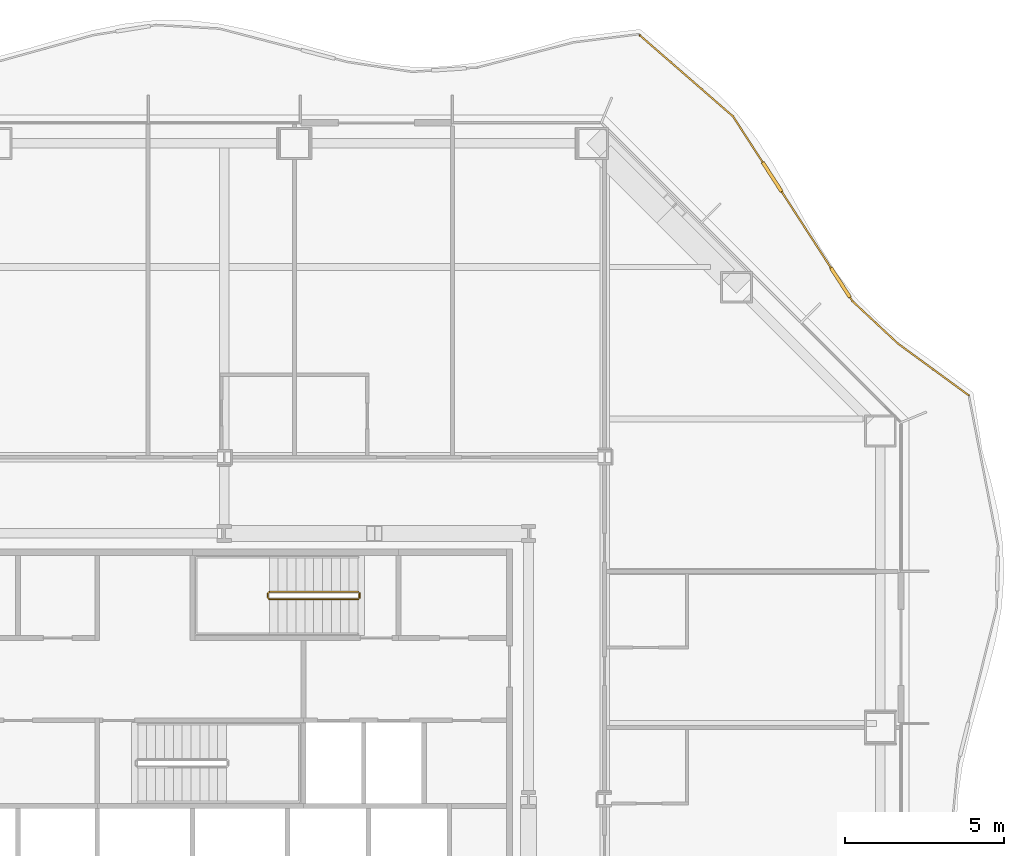
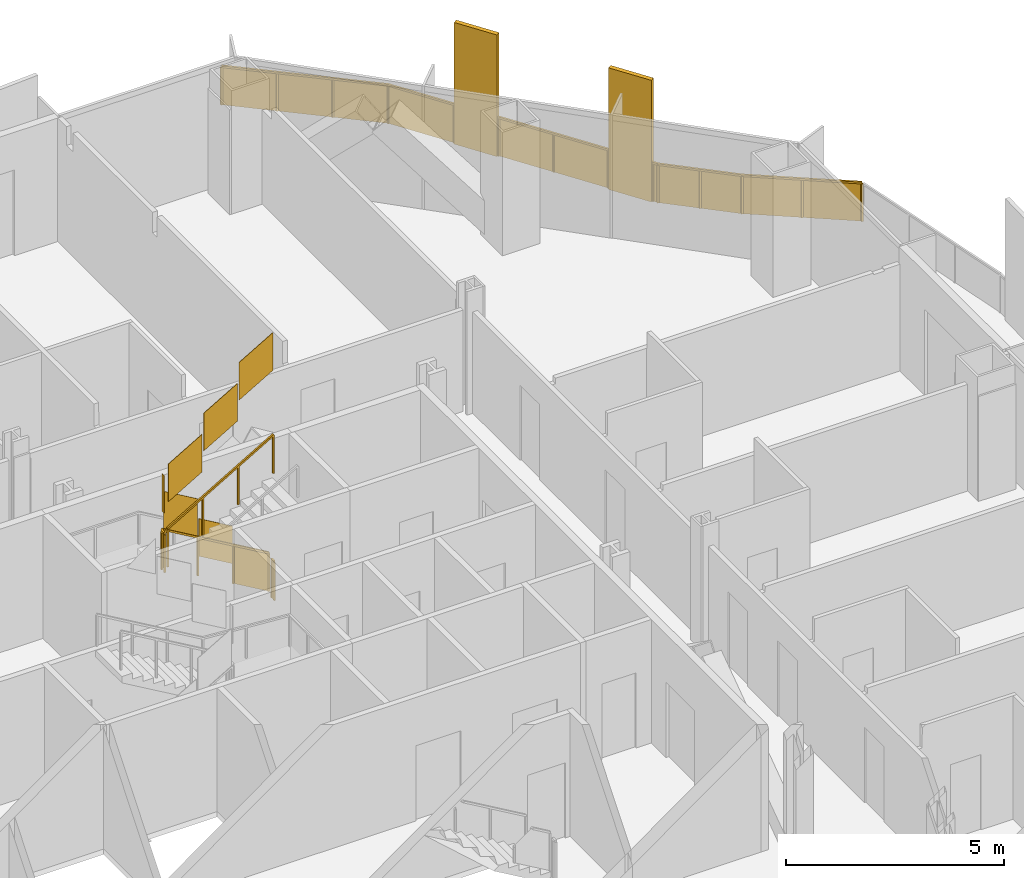
# One storey, part 21 of 21: 3 railings.
"""IFC4 building model written with IfcOpenShell, lengths in metres."""

from ifc_helpers import new_model, si_unit, direction, frame, origin, origin_2d, place, context, subcontext, project, spatial, polyline, rectangle, outline, extrude, material, type_object, element, save


model = new_model("IFC4")

# Units and contexts
model_context = context("Model", 3, precision=1e-05, world=origin(), true_north=direction((0.0, 1.0)))
body_context = subcontext(model_context, "Body", "Model", "MODEL_VIEW")
ifc_project = project(units=[si_unit("LENGTHUNIT", "METRE"), si_unit("AREAUNIT", "SQUARE_METRE"), si_unit("VOLUMEUNIT", "CUBIC_METRE"), si_unit("PLANEANGLEUNIT", "RADIAN"), si_unit("MASSUNIT", "GRAM", prefix="KILO")], contexts=[model_context])

# Site, building, storey
site_placement = place(None, origin())
site = spatial("IfcSite", under=ifc_project, at=site_placement, CompositionType="ELEMENT")
building_placement = place(site_placement, origin())
building = spatial("IfcBuilding", under=site, at=building_placement, Name="Cairn Pilgrim Tower", CompositionType="ELEMENT")
storey_placement = place(building_placement, frame((0.0, 0.0, 58.199951171875)))
storey = spatial("IfcBuildingStorey", under=building, at=storey_placement, Name="L12", CompositionType="ELEMENT", Elevation=58.199951171875)

# Railings
ifc_material_1 = material(Name="Bronze anodised aluminium rail, posts and fin screens with laminated glass infill", Category="aluminium")
railing_type_1 = type_object("IfcRailingType", Name="BALCONY GUARD WITH FIN SCREENS", PredefinedType="GUARDRAIL", material=ifc_material_1)
railing_1_placement = place(storey_placement, frame((30.68896484375, 15.15234375, 0.0)))
element("IfcRailing", 1, at=railing_1_placement, inside=storey, type_object=railing_type_1, Name="Balcony guard BGF-4 with fin screens", PredefinedType="GUARDRAIL", context=body_context, shape_type="SweptSolid", body=[
    extrude(rectangle(XDim=0.050048828125, YDim=0.050048828125, at=origin_2d()), frame((0.0, 0.0, 1.0751953125), z_axis=(-0.807280968825, 0.590167296088, 0.0), x_axis=(-0.590167296088, -0.807280968825, 0.0)), (0.0, 0.0, 1.0), 2.76171875),
    extrude(rectangle(XDim=0.050048828125, YDim=0.050048828125, at=origin_2d()), frame((-2.2294921875, 1.6298828125, 1.0751953125), z_axis=(-0.731657165894, 0.681672789244, 0.0), x_axis=(-0.681672789244, -0.731657165894, 0.0)), (0.0, 0.0, 1.0), 1.968505859375),
    extrude(rectangle(XDim=1.10009765625, YDim=0.110107421875, at=origin_2d()), frame((-4.049560546875, 3.559326171875, 0.0), z_axis=(0.0, 0.0, 1.0), x_axis=(-0.54289825143, 0.839798480943, 0.0)), (0.0, 0.0, 1.0), 3.39990234375),
    extrude(rectangle(XDim=1.10009765625, YDim=0.110107421875, at=origin_2d()), frame((-6.204345703125, 6.892578125, 0.0), z_axis=(0.0, 0.0, 1.0), x_axis=(-0.54289825143, 0.839798480943, 0.0)), (0.0, 0.0, 1.0), 3.39990234375),
    extrude(rectangle(XDim=0.050048828125, YDim=0.050048828125, at=origin_2d()), frame((-3.669677734375, 2.9716796875, 1.0751953125), z_axis=(-0.54289825143, 0.839798480943, 0.0), x_axis=(-0.839798480943, -0.54289825143, 0.0)), (0.0, 0.0, 1.0), 0.14990234375),
    extrude(rectangle(XDim=0.050048828125, YDim=0.050048828125, at=origin_2d()), frame((-4.34814453125, 4.021240234375, 1.0751953125), z_axis=(-0.54289825143, 0.839798480943, 0.0), x_axis=(-0.839798480943, -0.54289825143, 0.0)), (0.0, 0.0, 1.0), 2.868896484375),
    extrude(rectangle(XDim=0.050048828125, YDim=0.050048828125, at=origin_2d()), frame((-6.5029296875, 7.3544921875, 1.0751953125), z_axis=(-0.54289825143, 0.839798480943, 0.0), x_axis=(-0.839798480943, -0.54289825143, 0.0)), (0.0, 0.0, 1.0), 1.721435546875),
    extrude(rectangle(XDim=0.050048828125, YDim=0.050048828125, at=origin_2d()), frame((-7.4375, 8.800048828125, 1.0751953125), z_axis=(-0.754482548795, 0.656320107541, 0.0), x_axis=(-0.656320107541, -0.754482548795, 0.0)), (0.0, 0.0, 1.0), 3.889892578125),
    extrude(rectangle(XDim=0.050048828125, YDim=0.050048828125, at=origin_2d()), origin(), (0.0, 0.0, 1.0), 1.050048828125),
    extrude(rectangle(XDim=0.050048828125, YDim=0.050048828125, at=origin_2d()), frame((-1.11474609375, 0.81494140625, 0.0)), (0.0, 0.0, 1.0), 1.050048828125),
    extrude(rectangle(XDim=0.050048828125, YDim=0.050048828125, at=origin_2d()), frame((-2.2294921875, 1.6298828125, 0.0)), (0.0, 0.0, 1.0), 1.050048828125),
    extrude(rectangle(XDim=0.050048828125, YDim=0.050048828125, at=origin_2d()), frame((-2.94970703125, 2.30078125, 0.0)), (0.0, 0.0, 1.0), 1.050048828125),
    extrude(rectangle(XDim=0.050048828125, YDim=0.050048828125, at=origin_2d()), frame((-3.669677734375, 2.9716796875, 0.0)), (0.0, 0.0, 1.0), 1.050048828125),
    extrude(rectangle(XDim=0.050048828125, YDim=0.050048828125, at=origin_2d()), frame((-3.7373046875, 3.076416015625, 0.0)), (0.0, 0.0, 1.0), 1.050048828125),
    extrude(rectangle(XDim=0.050048828125, YDim=0.050048828125, at=origin_2d()), frame((-4.36181640625, 4.042236328125, 0.0)), (0.0, 0.0, 1.0), 1.050048828125),
    extrude(rectangle(XDim=0.050048828125, YDim=0.050048828125, at=origin_2d()), frame((-5.126953125, 5.225830078125, 0.0)), (0.0, 0.0, 1.0), 1.050048828125),
    extrude(rectangle(XDim=0.050048828125, YDim=0.050048828125, at=origin_2d()), frame((-5.89208984375, 6.40966796875, 0.0)), (0.0, 0.0, 1.0), 1.050048828125),
    extrude(rectangle(XDim=0.050048828125, YDim=0.050048828125, at=origin_2d()), frame((-6.5166015625, 7.37548828125, 0.0)), (0.0, 0.0, 1.0), 1.050048828125),
    extrude(rectangle(XDim=0.050048828125, YDim=0.050048828125, at=origin_2d()), frame((-7.4375, 8.800048828125, 0.0)), (0.0, 0.0, 1.0), 1.050048828125),
    extrude(rectangle(XDim=0.050048828125, YDim=0.050048828125, at=origin_2d()), frame((-8.415771484375, 9.651123046875, 0.0)), (0.0, 0.0, 1.0), 1.050048828125),
    extrude(rectangle(XDim=0.050048828125, YDim=0.050048828125, at=origin_2d()), frame((-9.39404296875, 10.501953125, 0.0)), (0.0, 0.0, 1.0), 1.050048828125),
    extrude(rectangle(XDim=0.050048828125, YDim=0.050048828125, at=origin_2d()), frame((-10.372314453125, 11.35302734375, 0.0)), (0.0, 0.0, 1.0), 1.050048828125),
    extrude(outline(polyline([(0.02490234375, 0.0), (1.35595703125, 0.0), (1.35595703125, 1.050048828125), (0.02490234375, 1.050048828125), (0.02490234375, 0.0)])), frame((-0.00341796875, -0.0048828125, 0.0), z_axis=(0.590167296088, 0.807280968825, 0.0), x_axis=(-0.807280968825, 0.590167296088, 0.0)), (0.0, 0.0, 1.0), 0.011962890625),
    extrude(outline(polyline([(0.02490234375, 0.0), (1.35595703125, 0.0), (1.35595703125, 1.050048828125), (0.02490234375, 1.050048828125), (0.02490234375, 0.0)])), frame((-1.1181640625, 0.81005859375, 0.0), z_axis=(0.590167296088, 0.807280968825, 0.0), x_axis=(-0.807280968825, 0.590167296088, 0.0)), (0.0, 0.0, 1.0), 0.011962890625),
    extrude(outline(polyline([(0.02490234375, 0.0), (0.959228515625, 0.0), (0.959228515625, 1.050048828125), (0.02490234375, 1.050048828125), (0.02490234375, 0.0)])), frame((-2.233642578125, 1.62548828125, 0.0), z_axis=(0.681672789244, 0.731657165894, 0.0), x_axis=(-0.731657165894, 0.681672789244, 0.0)), (0.0, 0.0, 1.0), 0.011962890625),
    extrude(outline(polyline([(0.02490234375, 0.0), (0.959228515625, 0.0), (0.959228515625, 1.050048828125), (0.02490234375, 1.050048828125), (0.02490234375, 0.0)])), frame((-2.95361328125, 2.29638671875, 0.0), z_axis=(0.681672789244, 0.731657165894, 0.0), x_axis=(-0.731657165894, 0.681672789244, 0.0)), (0.0, 0.0, 1.0), 0.011962890625),
    extrude(outline(polyline([(0.02490234375, 0.0), (0.099853515625, 0.0), (0.099853515625, 1.050048828125), (0.02490234375, 1.050048828125), (0.02490234375, 0.0)])), frame((-3.6748046875, 2.968505859375, 0.0), z_axis=(0.839798480943, 0.54289825143, 0.0), x_axis=(-0.54289825143, 0.839798480943, 0.0)), (0.0, 0.0, 1.0), 0.011962890625),
    extrude(outline(polyline([(0.02490234375, 0.0), (1.384521484375, 0.0), (1.384521484375, 1.050048828125), (0.02490234375, 1.050048828125), (0.02490234375, 0.0)])), frame((-4.36669921875, 4.0390625, 0.0), z_axis=(0.839798480943, 0.54289825143, 0.0), x_axis=(-0.54289825143, 0.839798480943, 0.0)), (0.0, 0.0, 1.0), 0.011962890625),
    extrude(outline(polyline([(0.02490234375, 0.0), (1.384521484375, 0.0), (1.384521484375, 1.050048828125), (0.02490234375, 1.050048828125), (0.02490234375, 0.0)])), frame((-5.132080078125, 5.22265625, 0.0), z_axis=(0.839798480943, 0.54289825143, 0.0), x_axis=(-0.54289825143, 0.839798480943, 0.0)), (0.0, 0.0, 1.0), 0.011962890625),
    extrude(outline(polyline([(0.02490234375, 0.0), (1.67138671875, 0.0), (1.67138671875, 1.050048828125), (0.02490234375, 1.050048828125), (0.02490234375, 0.0)])), frame((-6.521484375, 7.3720703125, 0.0), z_axis=(0.839798480943, 0.54289825143, 0.0), x_axis=(-0.54289825143, 0.839798480943, 0.0)), (0.0, 0.0, 1.0), 0.011962890625),
    extrude(outline(polyline([(0.02490234375, 0.0), (1.271484375, 0.0), (1.271484375, 1.050048828125), (0.02490234375, 1.050048828125), (0.02490234375, 0.0)])), frame((-7.44140625, 8.795654296875, 0.0), z_axis=(0.656320107541, 0.754482548795, 0.0), x_axis=(-0.754482548795, 0.656320107541, 0.0)), (0.0, 0.0, 1.0), 0.011962890625),
    extrude(outline(polyline([(0.02490234375, 0.0), (1.271484375, 0.0), (1.271484375, 1.050048828125), (0.02490234375, 1.050048828125), (0.02490234375, 0.0)])), frame((-8.419677734375, 9.646484375, 0.0), z_axis=(0.656320107541, 0.754482548795, 0.0), x_axis=(-0.754482548795, 0.656320107541, 0.0)), (0.0, 0.0, 1.0), 0.011962890625),
    extrude(outline(polyline([(0.02490234375, 0.0), (1.271484375, 0.0), (1.271484375, 1.050048828125), (0.02490234375, 1.050048828125), (0.02490234375, 0.0)])), frame((-9.39794921875, 10.49755859375, 0.0), z_axis=(0.656320107541, 0.754482548795, 0.0), x_axis=(-0.754482548795, 0.656320107541, 0.0)), (0.0, 0.0, 1.0), 0.011962890625),
])
ifc_material_2 = material(Name="Painted steel", Category="steel")
railing_type_2 = type_object("IfcRailingType", Name="STAIR GUARD 1100", PredefinedType="GUARDRAIL", material=ifc_material_2)
railing_2_placement = place(storey_placement, frame((11.425048828125, 8.949951171875, 0.16357421875)))
element("IfcRailing", 2, at=railing_2_placement, inside=storey, type_object=railing_type_2, Name="L12 ST-C stair guard 1", PredefinedType="GUARDRAIL", context=body_context, shape_type="SweptSolid", body=[
    extrude(rectangle(XDim=0.048095703125, YDim=0.048095703125, at=origin_2d()), frame((0.0, 0.0, 1.076171875), z_axis=(-0.863360870873, 0.0, 0.504586966384), x_axis=(0.0, -1.0, 0.0)), (0.0, 0.0, 1.0), 3.2431640625),
    extrude(rectangle(XDim=0.048095703125, YDim=0.048095703125, at=origin_2d()), frame((-2.800048828125, 0.0, 2.71240234375), z_axis=(-0.707106781187, -0.707106781187, 0.0), x_axis=(0.707106781187, -0.707106781187, 0.0)), (0.0, 0.0, 1.0), 0.07080078125),
    extrude(rectangle(XDim=0.048095703125, YDim=0.048095703125, at=origin_2d()), frame((-2.85009765625, -0.050048828125, 2.71240234375), z_axis=(0.0, -1.0, 0.0), x_axis=(1.0, 0.0, 0.0)), (0.0, 0.0, 1.0), 0.125),
    extrude(rectangle(XDim=0.048095703125, YDim=0.048095703125, at=origin_2d()), frame((-2.85009765625, -0.175048828125, 2.71240234375), z_axis=(0.280916556609, -0.279546231943, 0.91811752648), x_axis=(0.705375805398, 0.708833529934, 0.0)), (0.0, 0.0, 1.0), 0.17822265625),
    extrude(rectangle(XDim=0.048095703125, YDim=0.048095703125, at=origin_2d()), frame((-2.800048828125, -0.224853515625, 2.8759765625), z_axis=(0.863360870873, 0.0, 0.504586966384), x_axis=(0.0, 1.0, 0.0)), (0.0, 0.0, 1.0), 3.2431640625),
    extrude(rectangle(XDim=0.0419921875, YDim=0.0419921875, at=origin_2d()), origin(), (0.0, 0.0, 1.0), 1.052001953125),
    extrude(rectangle(XDim=0.0419921875, YDim=0.0419921875, at=origin_2d()), frame((-0.933349609375, 0.0, 0.54541015625)), (0.0, 0.0, 1.0), 1.052001953125),
    extrude(rectangle(XDim=0.0419921875, YDim=0.0419921875, at=origin_2d()), frame((-1.86669921875, 0.0, 1.091064453125)), (0.0, 0.0, 1.0), 1.052001953125),
    extrude(rectangle(XDim=0.0419921875, YDim=0.0419921875, at=origin_2d()), frame((-2.800048828125, 0.0, 1.636474609375)), (0.0, 0.0, 1.0), 1.052001953125),
    extrude(rectangle(XDim=0.0419921875, YDim=0.0419921875, at=origin_2d()), frame((-2.85009765625, -0.050048828125, 1.636474609375)), (0.0, 0.0, 1.0), 1.052001953125),
    extrude(rectangle(XDim=0.0419921875, YDim=0.0419921875, at=origin_2d()), frame((-2.85009765625, -0.175048828125, 1.636474609375)), (0.0, 0.0, 1.0), 1.052001953125),
    extrude(rectangle(XDim=0.0419921875, YDim=0.0419921875, at=origin_2d()), frame((-2.800048828125, -0.224853515625, 1.800048828125)), (0.0, 0.0, 1.0), 1.052001953125),
    extrude(rectangle(XDim=0.0419921875, YDim=0.0419921875, at=origin_2d()), frame((-1.86669921875, -0.224853515625, 2.345458984375)), (0.0, 0.0, 1.0), 1.052001953125),
    extrude(rectangle(XDim=0.0419921875, YDim=0.0419921875, at=origin_2d()), frame((-0.933349609375, -0.224853515625, 2.89111328125)), (0.0, 0.0, 1.0), 1.052001953125),
    extrude(rectangle(XDim=0.0419921875, YDim=0.0419921875, at=origin_2d()), frame((0.0, -0.224853515625, 3.4365234375)), (0.0, 0.0, 1.0), 1.052001953125),
    extrude(outline(polyline([(0.02099609375, 0.01220703125), (0.912353515625, 0.533203125), (0.912353515625, 1.585205078125), (0.02099609375, 1.064208984375), (0.02099609375, 0.01220703125)])), frame((0.0, -0.005859375, 0.0), z_axis=(0.0, 1.0, 0.0), x_axis=(-1.0, 0.0, 0.0)), (0.0, 0.0, 1.0), 0.011962890625),
    extrude(outline(polyline([(0.02099609375, 0.557861328125), (0.912353515625, 1.07861328125), (0.912353515625, 2.130615234375), (0.02099609375, 1.60986328125), (0.02099609375, 0.557861328125)])), frame((-0.933349609375, -0.005859375, 0.54541015625), z_axis=(0.0, 1.0, 0.0), x_axis=(-1.0, 0.0, 0.0)), (0.0, 0.0, 1.0), 0.011962890625),
    extrude(outline(polyline([(0.02099609375, 1.103271484375), (0.912353515625, 1.624267578125), (0.912353515625, 2.67626953125), (0.02099609375, 2.1552734375), (0.02099609375, 1.103271484375)])), frame((-1.86669921875, -0.005859375, 1.091064453125), z_axis=(0.0, 1.0, 0.0), x_axis=(-1.0, 0.0, 0.0)), (0.0, 0.0, 1.0), 0.011962890625),
    extrude(outline(polyline([(0.02099609375, 1.636474609375), (0.10400390625, 1.636474609375), (0.10400390625, 2.6884765625), (0.02099609375, 2.6884765625), (0.02099609375, 1.636474609375)])), frame((-2.84423828125, -0.050048828125, 1.636474609375), z_axis=(-1.0, 0.0, 0.0), x_axis=(0.0, -1.0, 0.0)), (0.0, 0.0, 1.0), 0.011962890625),
    extrude(outline(polyline([(0.02099609375, 1.812255859375), (0.912353515625, 2.333251953125), (0.912353515625, 3.38525390625), (0.02099609375, 2.8642578125), (0.02099609375, 1.812255859375)])), frame((-2.800048828125, -0.21875, 1.800048828125), z_axis=(0.0, -1.0, 0.0), x_axis=(1.0, 0.0, 0.0)), (0.0, 0.0, 1.0), 0.011962890625),
    extrude(outline(polyline([(0.02099609375, 2.35791015625), (0.912353515625, 2.878662109375), (0.912353515625, 3.9306640625), (0.02099609375, 3.409912109375), (0.02099609375, 2.35791015625)])), frame((-1.86669921875, -0.21875, 2.345458984375), z_axis=(0.0, -1.0, 0.0), x_axis=(1.0, 0.0, 0.0)), (0.0, 0.0, 1.0), 0.011962890625),
    extrude(outline(polyline([(0.02099609375, 2.9033203125), (0.912353515625, 3.42431640625), (0.912353515625, 4.476318359375), (0.02099609375, 3.955322265625), (0.02099609375, 2.9033203125)])), frame((-0.933349609375, -0.21875, 2.89111328125), z_axis=(0.0, -1.0, 0.0), x_axis=(1.0, 0.0, 0.0)), (0.0, 0.0, 1.0), 0.011962890625),
])
railing_3_placement = place(storey_placement, frame((11.47509765625, 8.89990234375, 0.0)))
element("IfcRailing", 3, at=railing_3_placement, inside=storey, type_object=railing_type_2, Name="L12 ST-C stair guard 2", PredefinedType="GUARDRAIL", context=body_context, shape_type="SweptSolid", body=[
    extrude(rectangle(XDim=0.048095703125, YDim=0.048095703125, at=origin_2d()), frame((0.0, 0.0, 1.076171875), z_axis=(0.0, -1.0, 0.0), x_axis=(1.0, 0.0, 0.0)), (0.0, 0.0, 1.0), 0.125),
    extrude(rectangle(XDim=0.0419921875, YDim=0.0419921875, at=origin_2d()), origin(), (0.0, 0.0, 1.0), 1.052001953125),
    extrude(rectangle(XDim=0.0419921875, YDim=0.0419921875, at=origin_2d()), frame((0.0, -0.125, 0.0)), (0.0, 0.0, 1.0), 1.052001953125),
    extrude(outline(polyline([(0.02099609375, 0.0), (0.10400390625, 0.0), (0.10400390625, 1.052001953125), (0.02099609375, 1.052001953125), (0.02099609375, 0.0)])), frame((0.005859375, 0.0, 0.0), z_axis=(-1.0, 0.0, 0.0), x_axis=(0.0, -1.0, 0.0)), (0.0, 0.0, 1.0), 0.011962890625),
])

save(model, "model.ifc")
